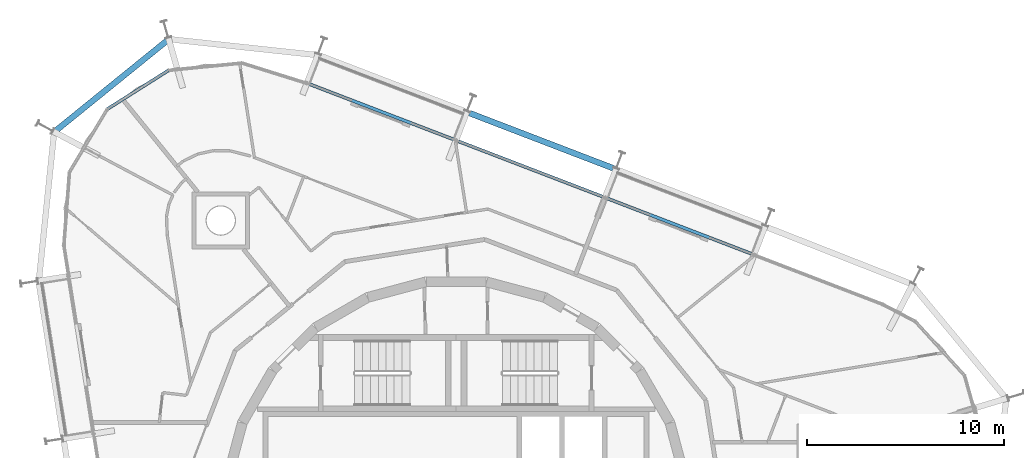
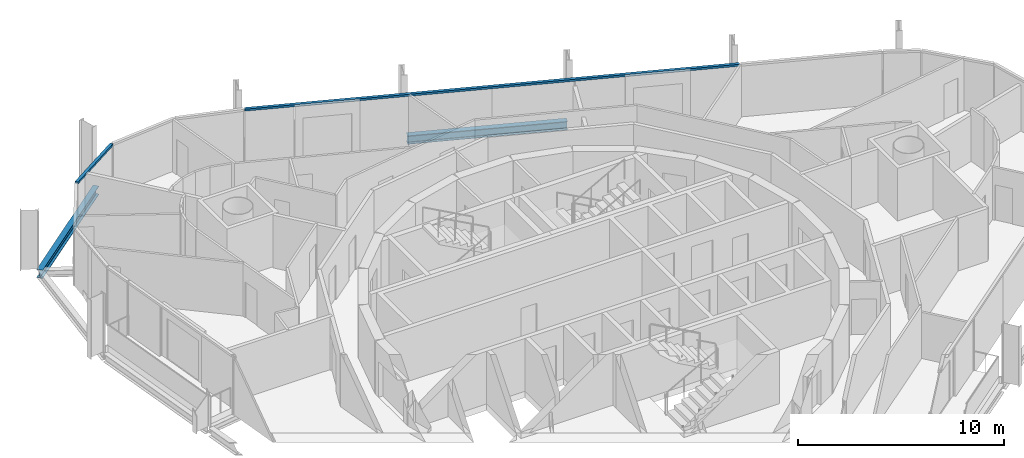
# One storey, part 7 of 17: 2 beams, 2 members, 2 elements without a shape of their own.
"""IFC4 building model written with IfcOpenShell, lengths in metres."""

from ifc_helpers import new_model, si_unit, direction, frame, origin, origin_2d, place, context, subcontext, project, spatial, rectangle, i_section, extrude, material, layer, layer_set, material_profile, profile_set, type_object, element, aggregate, save


model = new_model("IFC4")

# Units and contexts
model_context = context("Model", 3, precision=1e-05, world=origin(), true_north=direction((0.0, 1.0)))
body_context = subcontext(model_context, "Body", "Model", "MODEL_VIEW")
ifc_project = project(units=[si_unit("LENGTHUNIT", "METRE"), si_unit("AREAUNIT", "SQUARE_METRE"), si_unit("VOLUMEUNIT", "CUBIC_METRE"), si_unit("PLANEANGLEUNIT", "RADIAN"), si_unit("MASSUNIT", "GRAM", prefix="KILO")], contexts=[model_context])

# Site, building, storey
site_placement = place(None, origin())
site = spatial("IfcSite", under=ifc_project, at=site_placement, CompositionType="ELEMENT")
building_placement = place(site_placement, origin())
building = spatial("IfcBuilding", under=site, at=building_placement, Name="Spindle Arch Residences", CompositionType="ELEMENT")
storey_placement = place(building_placement, frame((0.0, 0.0, 266.89990234375)))
storey = spatial("IfcBuildingStorey", under=building, at=storey_placement, Name="L68", CompositionType="ELEMENT", Elevation=266.89990234375)

# Curtain wall, member
ifc_material_1 = material(Name="Aluminium bronze unitised frame with tinted glass", Category="aluminium")
ifc_layer_1 = layer(ifc_material_1, 0.159912109375)
ifc_layer_set_1 = layer_set([ifc_layer_1], Name="CW-C typical residential unitised wall")
curtain_wall_type_1 = type_object("IfcCurtainWallType", Name="CW-C typical residential unitised wall", PredefinedType="NOTDEFINED", material=ifc_layer_set_1)
curtain_wall_1_placement = place(storey_placement, origin())
curtain_wall_1 = element("IfcCurtainWall", 1, at=curtain_wall_1_placement, inside=storey, type_object=curtain_wall_type_1, Name="CW-C L68 run 2", PredefinedType="NOTDEFINED")
ifc_material_2 = material(Name="Aluminium bronze anodised transom", Category="aluminium")
ifc_material_profile_1 = material_profile(ifc_material_2, rectangle(XDim=0.159912109375, YDim=0.1201171875, at=origin_2d()), Name="TR 120x160")
ifc_profile_set_1 = profile_set([ifc_material_profile_1], Name="Aluminium bronze anodised transom")
member_type = type_object("IfcMemberType", Name="Bronze transom 120x160", PredefinedType="USERDEFINED", material=ifc_profile_set_1)
member_1_placement = place(storey_placement, frame((15.1015625, 13.0302734375, 3.06005859375), z_axis=(-0.933583473728, 0.358360011138, 0.0), x_axis=(-0.358360011138, -0.933583473728, 0.0)))
member_1 = element("IfcMember", 2, at=member_1_placement, type_object=member_type, Name="CW-C transom 00", ObjectType="TRANSOM", PredefinedType="USERDEFINED", context=body_context, shape_type="SweptSolid", body=[
    extrude(rectangle(XDim=0.159912109375, YDim=0.1201171875, at=origin_2d()), origin(), (0.0, 0.0, 1.0), 24.262939453125),
])
aggregate(curtain_wall_1, [member_1])

ifc_material_3 = material(Name="Aluminium bronze unitised frame with tinted glass", Category="aluminium")
ifc_layer_2 = layer(ifc_material_3, 0.159912109375)
ifc_layer_set_2 = layer_set([ifc_layer_2], Name="CW-D corner wall on the fillet arcs")
curtain_wall_type_2 = type_object("IfcCurtainWallType", Name="CW-D corner wall on the fillet arcs", PredefinedType="NOTDEFINED", material=ifc_layer_set_2)
curtain_wall_2_placement = place(storey_placement, origin())
curtain_wall_2 = element("IfcCurtainWall", 3, at=curtain_wall_2_placement, inside=storey, type_object=curtain_wall_type_2, Name="CW-D L68 run 3", PredefinedType="NOTDEFINED")
member_2_placement = place(storey_placement, frame((-14.608642578125, 22.38427734375, 3.06005859375), z_axis=(-0.844958488621, -0.53483189182, 0.0), x_axis=(0.53483189182, -0.844958488621, 0.0)))
member_2 = element("IfcMember", 4, at=member_2_placement, type_object=member_type, Name="CW-D transom 02", ObjectType="TRANSOM", PredefinedType="USERDEFINED", context=body_context, shape_type="SweptSolid", body=[
    extrude(rectangle(XDim=0.159912109375, YDim=0.1201171875, at=origin_2d()), origin(), (0.0, 0.0, 1.0), 3.6669921875),
])
aggregate(curtain_wall_2, [member_2])

# Beams
ifc_material_4 = material(Name="Steel S460ML, intumescent coating R 120", Category="steel")
ifc_material_profile_2 = material_profile(ifc_material_4, i_section(OverallWidth=0.300048828125, OverallDepth=0.5, WebThickness=0.014404296875, FlangeThickness=0.028076171875, FilletRadius=0.027099609375, at=origin_2d()), Name="HEB 500")
ifc_profile_set_2 = profile_set([ifc_material_profile_2], Name="Steel S460ML, intumescent coating R 120")
beam_type = type_object("IfcBeamType", Name="Exoskeleton edge beam HEB 500", PredefinedType="BEAM", material=ifc_profile_set_2)
beam_1_placement = place(storey_placement, frame((7.990966796875, 17.4091796875, -0.6298828125), z_axis=(-0.933573929793, 0.358384873579, 0.0), x_axis=(-0.358384873579, -0.933573929793, 0.0)))
element("IfcBeam", 5, at=beam_1_placement, inside=storey, type_object=beam_type, Name="Exoskeleton edge beam 7", PredefinedType="BEAM", context=body_context, shape_type="SweptSolid", body=[
    extrude(i_section(OverallWidth=0.300048828125, OverallDepth=0.5, WebThickness=0.014404296875, FlangeThickness=0.028076171875, FilletRadius=0.027099609375, at=origin_2d()), origin(), (0.0, 0.0, 1.0), 7.84765625),
])
beam_2_placement = place(storey_placement, frame((-14.536376953125, 24.014404296875, -0.6298828125), z_axis=(-0.777131622496, -0.62933809778, 0.0), x_axis=(0.62933809778, -0.777131622496, 0.0)))
element("IfcBeam", 6, at=beam_2_placement, inside=storey, type_object=beam_type, Name="Exoskeleton edge beam 10", PredefinedType="BEAM", context=body_context, shape_type="SweptSolid", body=[
    extrude(i_section(OverallWidth=0.300048828125, OverallDepth=0.5, WebThickness=0.014404296875, FlangeThickness=0.028076171875, FilletRadius=0.027099609375, at=origin_2d()), origin(), (0.0, 0.0, 1.0), 7.6318359375),
])

save(model, "model.ifc")
